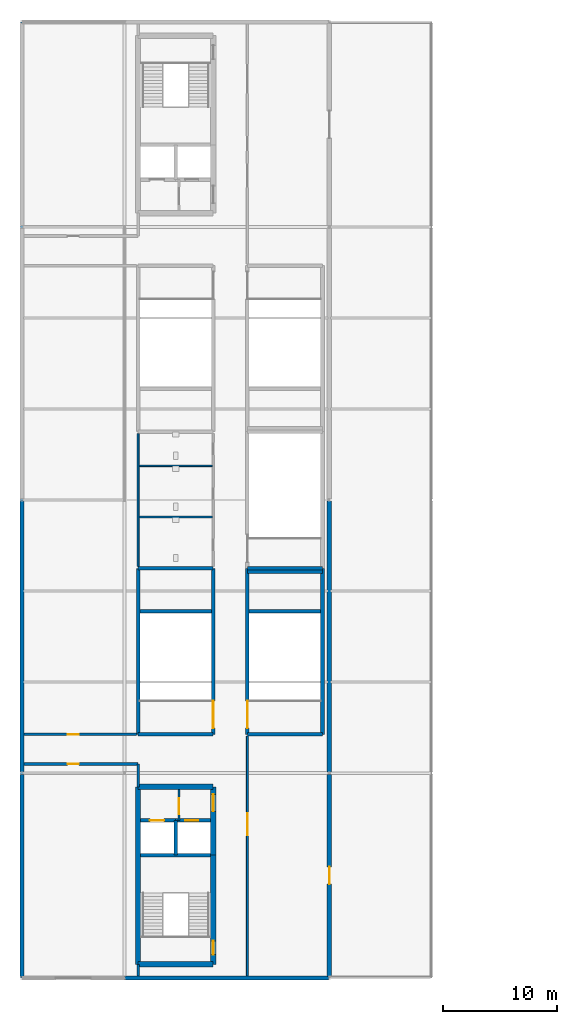
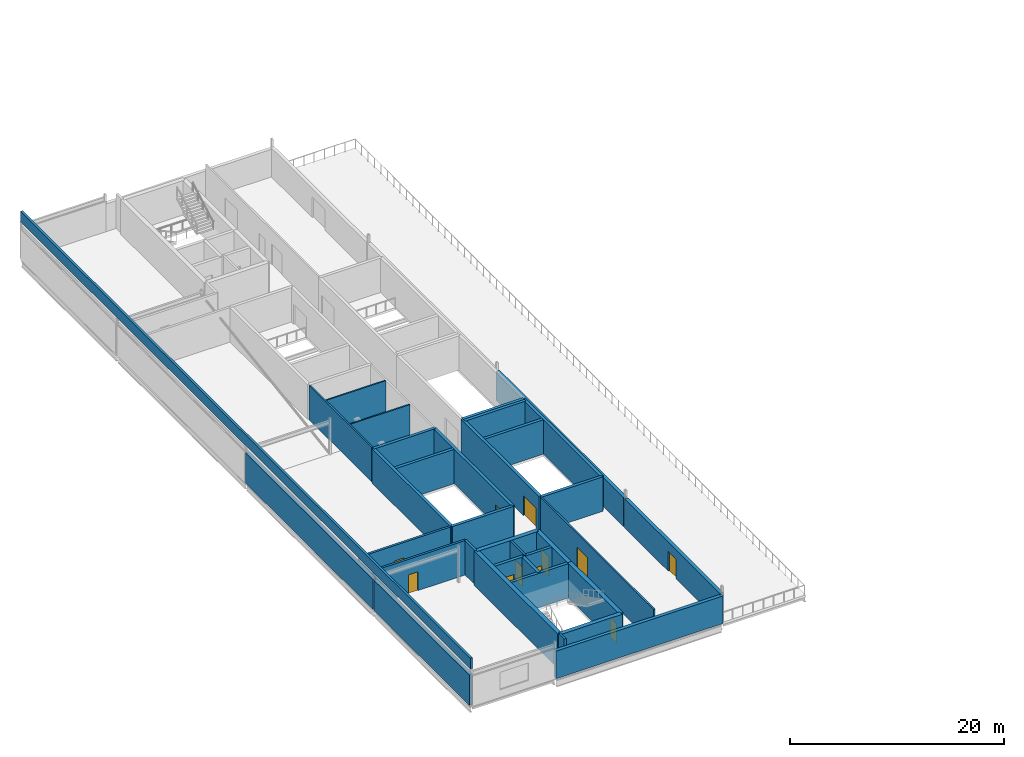
# One storey, part 14 of 23: 35 walls, 11 doors, 11 openings.
"""IFC4 building model written with IfcOpenShell, lengths in metres."""

import ifcopenshell
import ifcopenshell.guid

model = None  # the IFC model being written
_history = None  # IfcOwnerHistory: only IFC2X3 demands one
_inside = {}  # id of a spatial element -> (the spatial element, [elements in it])
_under = {}  # id of a project, library or spatial element -> (it, [spatial elements below it])
_declared = {}  # id of a project -> (the project, [libraries it declares])
_typed = {}  # id of a type object -> (the type object, [elements of that type])
_made_of = {}  # id of a material, layer set ... -> (it, [elements and type objects made of it])


def new_model(schema):
    """Start an empty IFC model of exactly this schema.

    Asked for "IFC4X3", IfcOpenShell would pick the latest addendum, in which some entities
    have other attributes; the version numbers below select the first issue.
    IFC2X3 requires an IfcOwnerHistory on every rooted entity: one is made here for all.
    """
    global model, _history
    if schema == "IFC4X3":
        model = ifcopenshell.file(schema_version=(4, 3, 0, 0))
    else:
        model = ifcopenshell.file(schema=schema)
    _inside.clear()
    _under.clear()
    _declared.clear()
    _typed.clear()
    _made_of.clear()
    _history = None
    if model.schema == "IFC2X3":
        org = make("IfcOrganization", Name="unknown")
        user = make(
            "IfcPersonAndOrganization",
            ThePerson=make("IfcPerson", FamilyName="unknown"),
            TheOrganization=org,
        )
        app = make(
            "IfcApplication",
            ApplicationDeveloper=org,
            Version="unknown",
            ApplicationFullName="unknown",
            ApplicationIdentifier="unknown",
        )
        _history = make(
            "IfcOwnerHistory",
            OwningUser=user,
            OwningApplication=app,
            ChangeAction="ADDED",
            CreationDate=0,
        )
    return model


def make(cls, **values):
    """One entity of the class cls with the attributes given. An attribute that is None is left unset."""
    return model.create_entity(
        cls, **{name: value for name, value in values.items() if value is not None}
    )


def rooted(cls, **values):
    """An entity with a GlobalId (a new one), such as an element, a storey or a relation."""
    return make(cls, GlobalId=ifcopenshell.guid.new(), OwnerHistory=_history, **values)


def si_unit(unit_type, name, prefix=None):
    """IfcSIUnit, for example si_unit("LENGTHUNIT", "METRE", prefix="MILLI")."""
    return make("IfcSIUnit", UnitType=unit_type, Prefix=prefix, Name=name)


def assignment(units):
    """IfcUnitAssignment: the units of a project."""
    return None if units is None else make("IfcUnitAssignment", Units=units)


def point(xyz):
    """IfcCartesianPoint."""
    return None if xyz is None else make("IfcCartesianPoint", Coordinates=xyz)


def direction(xyz):
    """IfcDirection."""
    return None if xyz is None else make("IfcDirection", DirectionRatios=xyz)


def frame(location, z_axis=None, x_axis=None):
    """IfcAxis2Placement3D, a coordinate frame: its origin and axes. An axis left out is left unset."""
    return make(
        "IfcAxis2Placement3D",
        Location=point(location),
        Axis=direction(z_axis),
        RefDirection=direction(x_axis),
    )


def frame_2d(location, x_axis=None):
    """IfcAxis2Placement2D, a coordinate frame in the plane: its origin and x axis."""
    return make(
        "IfcAxis2Placement2D", Location=point(location), RefDirection=direction(x_axis)
    )


def origin():
    """The frame at (0, 0, 0) with its axes left unset."""
    return frame((0.0, 0.0, 0.0))


def place(relative_to, where):
    """IfcLocalPlacement: puts the frame where relative to a parent placement (None: the world)."""
    return make(
        "IfcLocalPlacement", PlacementRelTo=relative_to, RelativePlacement=where
    )


def context(
    kind, dimensions, precision=None, world=None, true_north=None, identifier=None
):
    """IfcGeometricRepresentationContext, for example the 3D "Model" context."""
    return make(
        "IfcGeometricRepresentationContext",
        ContextIdentifier=identifier,
        ContextType=kind,
        CoordinateSpaceDimension=dimensions,
        Precision=precision,
        WorldCoordinateSystem=world,
        TrueNorth=true_north,
    )


def subcontext(parent, identifier, kind, view, scale=None):
    """IfcGeometricRepresentationSubContext, for example "Body" below "Model"."""
    return make(
        "IfcGeometricRepresentationSubContext",
        ContextIdentifier=identifier,
        ContextType=kind,
        ParentContext=parent,
        TargetScale=scale,
        TargetView=view,
    )


def project(units=None, contexts=None):
    """IfcProject with its units and contexts."""
    return rooted(
        "IfcProject",
        Name="project",
        RepresentationContexts=contexts,
        UnitsInContext=assignment(units),
    )


def spatial(cls, under=None, at=None, **own):
    """A site, building, storey or space (cls), placed at a placement, below another one or the project."""
    s = rooted(cls, ObjectPlacement=at, **own)
    if under is not None:
        _under.setdefault(under.id(), (under, []))[1].append(s)
    return s


def profile(cls, at=None, kind="AREA", **sizes):
    """A parametric profile (cls). Its sizes go by their IFC names, for example OverallWidth=200.0."""
    return make(cls, ProfileType=kind, Position=at, **sizes)


def rectangle(**sizes):
    """IfcRectangleProfileDef."""
    return profile("IfcRectangleProfileDef", **sizes)


def extrude(swept, where, along, depth):
    """IfcExtrudedAreaSolid: the profile swept, set in the frame where, extruded along a direction by depth."""
    return make(
        "IfcExtrudedAreaSolid",
        SweptArea=swept,
        Position=where,
        ExtrudedDirection=direction(along),
        Depth=depth,
    )


def shape(context_of_items, identifier, shape_type, items):
    """IfcShapeRepresentation: the items that make up one representation, for example the "Body"."""
    return make(
        "IfcShapeRepresentation",
        ContextOfItems=context_of_items,
        RepresentationIdentifier=identifier,
        RepresentationType=shape_type,
        Items=items,
    )


def material(Name=None, Category=None):
    """IfcMaterial."""
    return make("IfcMaterial", Name=Name, Category=Category)


def layer(
    of_material, thickness, ventilated=None, Name=None, Category=None, Priority=None
):
    """IfcMaterialLayer: one layer of a wall or slab, of a material (None: an air gap)."""
    return make(
        "IfcMaterialLayer",
        Material=of_material,
        LayerThickness=thickness,
        IsVentilated=ventilated,
        Name=Name,
        Category=Category,
        Priority=Priority,
    )


def layer_set(layers, Name=None):
    """IfcMaterialLayerSet."""
    return make("IfcMaterialLayerSet", MaterialLayers=layers, LayerSetName=Name)


def made_of(thing, what):
    """Note that an element or type object is made of a material, layer set ...; save() writes the relation."""
    if what is not None:
        _made_of.setdefault(what.id(), (what, []))[1].append(thing)
    return thing


def type_object(cls, material=None, **own):
    """A type object (cls), such as IfcWallType, which elements share."""
    return made_of(rooted(cls, **own), material)


def element(
    cls,
    number,
    at=None,
    inside=None,
    cuts=None,
    type_object=None,
    material=None,
    context=None,
    identifier="Body",
    shape_type=None,
    held_by="IfcProductDefinitionShape",
    body=None,
    shapes=None,
    **own,
):
    """One element of the class cls, such as IfcWall. Its Tag is "e" and its number.

    at: its placement. inside: the storey or other place that contains it. cuts: it is an
    opening in that element (IfcRelVoidsElement). A single representation is given by context,
    identifier, shape_type and body (its items); several are given by shapes. held_by: the class
    of the entity that holds the representations. save() writes the other relations.
    """
    e = rooted(cls, Tag="e%d" % number, ObjectPlacement=at, **own)
    if body is not None:
        shapes = [shape(context, identifier, shape_type, body)]
    if shapes is not None:
        e.Representation = make(held_by, Representations=shapes)
    if inside is not None:
        _inside.setdefault(inside.id(), (inside, []))[1].append(e)
    if cuts is not None:
        rooted(
            "IfcRelVoidsElement", RelatingBuildingElement=cuts, RelatedOpeningElement=e
        )
    if type_object is not None:
        _typed.setdefault(type_object.id(), (type_object, []))[1].append(e)
    return made_of(e, material)


def fill(opening, filler):
    """IfcRelFillsElement: the door or window that sits in an opening."""
    return rooted(
        "IfcRelFillsElement",
        RelatingOpeningElement=opening,
        RelatedBuildingElement=filler,
    )


def aggregate(whole, parts):
    """IfcRelAggregates: a whole, such as a stair, and the parts it consists of."""
    return rooted("IfcRelAggregates", RelatingObject=whole, RelatedObjects=parts)


def save(model, path):
    """Write the relations noted so far, then the file.

    IfcRelAggregates (storeys below a building ...), IfcRelContainedInSpatialStructure (elements
    in a storey), IfcRelDefinesByType, IfcRelAssociatesMaterial and IfcRelDeclares: one each for
    every whole, place, type object, material and project.
    """
    for whole, parts in _under.values():
        aggregate(whole, parts)
    for where, things in _inside.values():
        rooted(
            "IfcRelContainedInSpatialStructure",
            RelatedElements=things,
            RelatingStructure=where,
        )
    for kind, things in _typed.values():
        rooted("IfcRelDefinesByType", RelatedObjects=things, RelatingType=kind)
    for what, things in _made_of.values():
        rooted("IfcRelAssociatesMaterial", RelatedObjects=things, RelatingMaterial=what)
    for by, libraries in _declared.values():
        rooted("IfcRelDeclares", RelatingContext=by, RelatedDefinitions=libraries)
    model.write(path)


model = new_model("IFC4")

# Units and contexts
model_context = context("Model", 3, precision=1e-05, world=origin(), true_north=direction((0.0, 1.0)))
body_context = subcontext(model_context, "Body", "Model", "MODEL_VIEW")
ifc_project = project(units=[si_unit("LENGTHUNIT", "METRE"), si_unit("AREAUNIT", "SQUARE_METRE"), si_unit("VOLUMEUNIT", "CUBIC_METRE"), si_unit("PLANEANGLEUNIT", "RADIAN"), si_unit("MASSUNIT", "GRAM", prefix="KILO")], contexts=[model_context])

# Site, building, storey
site_placement = place(None, origin())
site = spatial("IfcSite", under=ifc_project, at=site_placement, CompositionType="ELEMENT")
building_placement = place(site_placement, origin())
building = spatial("IfcBuilding", under=site, at=building_placement, Name="Kisiwana Market Hall", CompositionType="ELEMENT")
storey_placement = place(building_placement, frame((0.0, 0.0, 65.699951171875)))
storey = spatial("IfcBuildingStorey", under=building, at=storey_placement, Name="L15", CompositionType="ELEMENT", Elevation=65.699951171875)

# Wall, opening, door
ifc_material_1 = material(Name="Masonry blockwork", Category="masonry")
ifc_layer_1 = layer(ifc_material_1, 0.199951171875, Name="Plastered fire compartment block wall")
ifc_layer_set_1 = layer_set([ifc_layer_1], Name="WL-COMP-200")
wall_type_1 = type_object("IfcWallType", Name="WL-COMP-200", PredefinedType="PARTITIONING", material=ifc_layer_set_1)
wall_1_placement = place(storey_placement, frame((13.800048828125, 31.844970703125, 0.0), z_axis=(0.0, 0.0, 1.0), x_axis=(0.0, 1.0, 0.0)))
wall_1 = element("IfcWall", 1, at=wall_1_placement, inside=storey, type_object=wall_type_1, Name="Core W2 firefighting lobby wall W-3457", PredefinedType="PARTITIONING", context=body_context, shape_type="SweptSolid", body=[
    extrude(rectangle(XDim=2.72998046875, YDim=0.199951171875, at=frame_2d((1.364990234375, 0.0))), origin(), (0.0, 0.0, 1.0), 3.920166015625),
])
opening_1_placement = place(wall_1_placement, frame((0.550048828125, 0.0, 0.0)))
opening_1 = element("IfcOpeningElement", 2, at=opening_1_placement, cuts=wall_1, Name="Opening DR-L15-003", PredefinedType="OPENING", context=body_context, shape_type="SweptSolid", body=[
    extrude(rectangle(XDim=1.39990234375, YDim=2.25, at=frame_2d((0.699951171875, 1.125))), frame((0.0, 0.11181640625, 0.0), z_axis=(0.0, -1.0, 0.0), x_axis=(1.0, 0.0, 0.0)), (0.0, 0.0, 1.0), 0.223876953125),
])
ifc_material_2 = material(Name="Steel S275", Category="steel")
door_type_1 = type_object("IfcDoorType", Name="DR-FFLOB-FD120-1400", OperationType="DOUBLE_DOOR_SINGLE_SWING", PredefinedType="DOOR", material=ifc_material_2)
door_1_placement = place(opening_1_placement, frame((1.39990234375, 0.0, 0.0), z_axis=(0.0, 0.0, 1.0), x_axis=(-1.0, 0.0, 0.0)))
door_1 = element("IfcDoor", 3, at=door_1_placement, inside=storey, type_object=door_type_1, Name="Firefighting Lift Lobby W2 Door (L15)", OperationType="DOUBLE_DOOR_SINGLE_SWING", OverallHeight=2.25, OverallWidth=1.39990234375, PredefinedType="DOOR", context=body_context, shape_type="SweptSolid", body=[
    extrude(rectangle(XDim=1.39990234375, YDim=2.25, at=frame_2d((0.699951171875, 1.125))), frame((0.0, 0.02490234375, 0.0), z_axis=(0.0, -1.0, 0.0), x_axis=(1.0, 0.0, 0.0)), (0.0, 0.0, 1.0), 0.050048828125),
])
fill(opening_1, door_1)

# Walls
ifc_material_3 = material(Name="Concrete C40/50", Category="concrete")
ifc_layer_2 = layer(ifc_material_3, 0.320068359375, Name="Reinforced concrete shaft wall")
ifc_layer_set_2 = layer_set([ifc_layer_2], Name="WL-CORE-320")
wall_type_2 = type_object("IfcWallType", Name="WL-CORE-320", PredefinedType="SHEAR", material=ifc_layer_set_2)
wall_2_placement = place(storey_placement, frame((10.425048828125, 28.784912109375, 0.0), z_axis=(0.0, 0.0, 1.0), x_axis=(1.0, 0.0, 0.0)))
element("IfcWall", 4, at=wall_2_placement, inside=storey, type_object=wall_type_2, Name="Core W2 shaft back shear wall W-3354", PredefinedType="SHEAR", context=body_context, shape_type="SweptSolid", body=[
    extrude(rectangle(XDim=6.14990234375, YDim=0.320068359375, at=frame_2d((3.074951171875, 0.0))), origin(), (0.0, 0.0, 1.0), 3.920166015625),
])
wall_3_placement = place(storey_placement, frame((13.5, 28.784912109375, 0.0), z_axis=(0.0, 0.0, 1.0), x_axis=(0.0, 1.0, 0.0)))
element("IfcWall", 5, at=wall_3_placement, inside=storey, type_object=wall_type_2, Name="Core W2 inter-shaft shear wall W-3355", PredefinedType="SHEAR", context=body_context, shape_type="SweptSolid", body=[
    extrude(rectangle(XDim=3.06005859375, YDim=0.320068359375, at=frame_2d((1.530029296875, 0.0))), origin(), (0.0, 0.0, 1.0), 3.920166015625),
])

# Wall, opening, door
wall_4_placement = place(storey_placement, frame((10.425048828125, 31.844970703125, 0.0), z_axis=(0.0, 0.0, 1.0), x_axis=(1.0, 0.0, 0.0)))
wall_4 = element("IfcWall", 6, at=wall_4_placement, inside=storey, type_object=wall_type_2, Name="Core W2 west lift front wall W-3356", PredefinedType="SHEAR", context=body_context, shape_type="SweptSolid", body=[
    extrude(rectangle(XDim=3.074951171875, YDim=0.320068359375, at=frame_2d((1.53759765625, 0.0))), origin(), (0.0, 0.0, 1.0), 3.920166015625),
])
opening_2_placement = place(wall_4_placement, frame((0.800048828125, 0.0, 0.0)))
opening_2 = element("IfcOpeningElement", 7, at=opening_2_placement, cuts=wall_4, Name="Opening LD-L15-001", PredefinedType="OPENING", context=body_context, shape_type="SweptSolid", body=[
    extrude(rectangle(XDim=1.25, YDim=2.25, at=frame_2d((0.625, 1.125))), frame((0.0, 0.171875, 0.0), z_axis=(0.0, -1.0, 0.0), x_axis=(1.0, 0.0, 0.0)), (0.0, 0.0, 1.0), 0.343994140625),
])
ifc_material_4 = material(Name="Steel S275", Category="steel")
door_type_2 = type_object("IfcDoorType", Name="DR-LIFT-FFL-1250", OperationType="DOUBLE_DOOR_SLIDING", PredefinedType="DOOR", material=ifc_material_4)
door_2_placement = place(opening_2_placement, origin())
door_2 = element("IfcDoor", 8, at=door_2_placement, inside=storey, type_object=door_type_2, Name="Lift Landing Door FFL-01 (L15)", OperationType="DOUBLE_DOOR_SLIDING", OverallHeight=2.25, OverallWidth=1.25, PredefinedType="DOOR", context=body_context, shape_type="SweptSolid", body=[
    extrude(rectangle(XDim=1.25, YDim=2.25, at=frame_2d((0.625, 1.125))), frame((0.0, 0.02490234375, 0.0), z_axis=(0.0, -1.0, 0.0), x_axis=(1.0, 0.0, 0.0)), (0.0, 0.0, 1.0), 0.050048828125),
])
fill(opening_2, door_2)

wall_5_placement = place(storey_placement, frame((13.5, 31.844970703125, 0.0), z_axis=(0.0, 0.0, 1.0), x_axis=(1.0, 0.0, 0.0)))
wall_5 = element("IfcWall", 9, at=wall_5_placement, inside=storey, type_object=wall_type_2, Name="Core W2 east lift front wall W-3357", PredefinedType="SHEAR", context=body_context, shape_type="SweptSolid", body=[
    extrude(rectangle(XDim=3.074951171875, YDim=0.320068359375, at=frame_2d((1.53759765625, 0.0))), origin(), (0.0, 0.0, 1.0), 3.920166015625),
])
opening_3_placement = place(wall_5_placement, frame((0.85009765625, 0.0, 0.0)))
opening_3 = element("IfcOpeningElement", 10, at=opening_3_placement, cuts=wall_5, Name="Opening LD-L15-002", PredefinedType="OPENING", context=body_context, shape_type="SweptSolid", body=[
    extrude(rectangle(XDim=1.14990234375, YDim=2.199951171875, at=frame_2d((0.574951171875, 1.10009765625))), frame((0.0, 0.171875, 0.0), z_axis=(0.0, -1.0, 0.0), x_axis=(1.0, 0.0, 0.0)), (0.0, 0.0, 1.0), 0.343994140625),
])
ifc_material_5 = material(Name="Steel S275", Category="steel")
door_type_3 = type_object("IfcDoorType", Name="DR-LIFT-PAX-1150", OperationType="DOUBLE_DOOR_SLIDING", PredefinedType="DOOR", material=ifc_material_5)
door_3_placement = place(opening_3_placement, origin())
door_3 = element("IfcDoor", 11, at=door_3_placement, inside=storey, type_object=door_type_3, Name="Lift Landing Door LP-01 (L15)", OperationType="DOUBLE_DOOR_SLIDING", OverallHeight=2.199951171875, OverallWidth=1.14990234375, PredefinedType="DOOR", context=body_context, shape_type="SweptSolid", body=[
    extrude(rectangle(XDim=1.14990234375, YDim=2.199951171875, at=frame_2d((0.574951171875, 1.10009765625))), frame((0.0, 0.02490234375, 0.0), z_axis=(0.0, -1.0, 0.0), x_axis=(1.0, 0.0, 0.0)), (0.0, 0.0, 1.0), 0.050048828125),
])
fill(opening_3, door_3)

# Walls
for number, where, z_axis, x_axis, name in (
    (12, (10.199951171875, 39.39990234375, 0.0), (0.0, 0.0, 1.0), (1.0, 0.0, 0.0), "Core W3 south shear wall W-3385"),
    (13, (10.199951171875, 54.0, 0.0), (0.0, 0.0, 1.0), (1.0, 0.0, 0.0), "Core W3 north shear wall W-3386"),
):
    element("IfcWall", number, at=place(storey_placement, frame(where, z_axis=z_axis, x_axis=x_axis)), inside=storey, type_object=wall_type_2, Name=name, PredefinedType="SHEAR", context=body_context, shape_type="SweptSolid", body=[
        extrude(rectangle(XDim=6.60009765625, YDim=0.320068359375, at=frame_2d((3.300048828125, 0.0))), origin(), (0.0, 0.0, 1.0), 3.920166015625),
    ])
wall_6_placement = place(storey_placement, frame((10.199951171875, 39.39990234375, 0.0), z_axis=(0.0, 0.0, 1.0), x_axis=(0.0, 1.0, 0.0)))
element("IfcWall", 14, at=wall_6_placement, inside=storey, type_object=wall_type_2, Name="Core W3 outer shear wall W-3387", PredefinedType="SHEAR", context=body_context, shape_type="SweptSolid", body=[
    extrude(rectangle(XDim=14.60009765625, YDim=0.320068359375, at=frame_2d((7.300048828125, 0.0))), origin(), (0.0, 0.0, 1.0), 3.920166015625),
])

# Wall, opening, door
wall_7_placement = place(storey_placement, frame((16.800048828125, 39.39990234375, 0.0), z_axis=(0.0, 0.0, 1.0), x_axis=(0.0, 1.0, 0.0)))
wall_7 = element("IfcWall", 15, at=wall_7_placement, inside=storey, type_object=wall_type_2, Name="Core W3 corridor shear wall W-3388", PredefinedType="SHEAR", context=body_context, shape_type="SweptSolid", body=[
    extrude(rectangle(XDim=14.60009765625, YDim=0.320068359375, at=frame_2d((7.300048828125, 0.0))), origin(), (0.0, 0.0, 1.0), 3.920166015625),
])
opening_4_placement = place(wall_7_placement, frame((0.550048828125, 0.0, 0.0)))
opening_4 = element("IfcOpeningElement", 16, at=opening_4_placement, cuts=wall_7, Name="Opening DR-L15-013", PredefinedType="OPENING", context=body_context, shape_type="SweptSolid", body=[
    extrude(rectangle(XDim=2.39990234375, YDim=2.25, at=frame_2d((1.199951171875, 1.125))), frame((0.0, 0.171875, 0.0), z_axis=(0.0, -1.0, 0.0), x_axis=(1.0, 0.0, 0.0)), (0.0, 0.0, 1.0), 0.343994140625),
])
ifc_material_6 = material(Name="Steel S275", Category="steel")
door_type_4 = type_object("IfcDoorType", Name="DR-STAIR-FD120-2400", OperationType="DOUBLE_DOOR_SINGLE_SWING", PredefinedType="DOOR", material=ifc_material_6)
door_4_placement = place(opening_4_placement, origin())
door_4 = element("IfcDoor", 17, at=door_4_placement, inside=storey, type_object=door_type_4, Name="Escape Stair W3 Fire Door (L15)", OperationType="DOUBLE_DOOR_SINGLE_SWING", OverallHeight=2.25, OverallWidth=2.39990234375, PredefinedType="DOOR", context=body_context, shape_type="SweptSolid", body=[
    extrude(rectangle(XDim=2.39990234375, YDim=2.25, at=frame_2d((1.199951171875, 1.125))), frame((0.0, 0.02490234375, 0.0), z_axis=(0.0, -1.0, 0.0), x_axis=(1.0, 0.0, 0.0)), (0.0, 0.0, 1.0), 0.050048828125),
])
fill(opening_4, door_4)

# Walls
wall_8_placement = place(storey_placement, frame((10.360107421875, 50.219970703125, 0.0), z_axis=(0.0, 0.0, 1.0), x_axis=(1.0, 0.0, 0.0)))
element("IfcWall", 18, at=wall_8_placement, inside=storey, type_object=wall_type_2, Name="Core W3 riser divider shear wall W-3389", PredefinedType="SHEAR", context=body_context, shape_type="SweptSolid", body=[
    extrude(rectangle(XDim=6.27978515625, YDim=0.320068359375, at=frame_2d((3.139892578125, 0.0))), origin(), (0.0, 0.0, 1.0), 3.920166015625),
])
for number, where, z_axis, x_axis, name in (
    (19, (19.800048828125, 39.39990234375, 0.0), (0.0, 0.0, 1.0), (1.0, 0.0, 0.0), "Core W7 south shear wall W-3405"),
    (20, (19.800048828125, 54.0, 0.0), (0.0, 0.0, 1.0), (1.0, 0.0, 0.0), "Core W7 north shear wall W-3406"),
):
    element("IfcWall", number, at=place(storey_placement, frame(where, z_axis=z_axis, x_axis=x_axis)), inside=storey, type_object=wall_type_2, Name=name, PredefinedType="SHEAR", context=body_context, shape_type="SweptSolid", body=[
        extrude(rectangle(XDim=6.599853515625, YDim=0.320068359375, at=frame_2d((3.2998046875, 0.0))), origin(), (0.0, 0.0, 1.0), 3.920166015625),
    ])

# Wall, opening, door
wall_9_placement = place(storey_placement, frame((19.800048828125, 39.39990234375, 0.0), z_axis=(0.0, 0.0, 1.0), x_axis=(0.0, 1.0, 0.0)))
wall_9 = element("IfcWall", 21, at=wall_9_placement, inside=storey, type_object=wall_type_2, Name="Core W7 corridor shear wall W-3407", PredefinedType="SHEAR", context=body_context, shape_type="SweptSolid", body=[
    extrude(rectangle(XDim=14.60009765625, YDim=0.320068359375, at=frame_2d((7.300048828125, 0.0))), origin(), (0.0, 0.0, 1.0), 3.920166015625),
])
opening_5_placement = place(wall_9_placement, frame((0.550048828125, 0.0, 0.0)))
opening_5 = element("IfcOpeningElement", 22, at=opening_5_placement, cuts=wall_9, Name="Opening DR-L15-017", PredefinedType="OPENING", context=body_context, shape_type="SweptSolid", body=[
    extrude(rectangle(XDim=2.39990234375, YDim=2.25, at=frame_2d((1.199951171875, 1.125))), frame((0.0, 0.171875, 0.0), z_axis=(0.0, -1.0, 0.0), x_axis=(1.0, 0.0, 0.0)), (0.0, 0.0, 1.0), 0.343994140625),
])
door_5_placement = place(opening_5_placement, frame((2.39990234375, 0.0, 0.0), z_axis=(0.0, 0.0, 1.0), x_axis=(-1.0, 0.0, 0.0)))
door_5 = element("IfcDoor", 23, at=door_5_placement, inside=storey, type_object=door_type_4, Name="Escape Stair W7 Fire Door (L15)", OperationType="DOUBLE_DOOR_SINGLE_SWING", OverallHeight=2.25, OverallWidth=2.39990234375, PredefinedType="DOOR", context=body_context, shape_type="SweptSolid", body=[
    extrude(rectangle(XDim=2.39990234375, YDim=2.25, at=frame_2d((1.199951171875, 1.125))), frame((0.0, 0.02490234375, 0.0), z_axis=(0.0, -1.0, 0.0), x_axis=(1.0, 0.0, 0.0)), (0.0, 0.0, 1.0), 0.050048828125),
])
fill(opening_5, door_5)

# Walls
wall_10_placement = place(storey_placement, frame((26.39990234375, 39.39990234375, 0.0), z_axis=(0.0, 0.0, 1.0), x_axis=(0.0, 1.0, 0.0)))
element("IfcWall", 24, at=wall_10_placement, inside=storey, type_object=wall_type_2, Name="Core W7 outer shear wall W-3408", PredefinedType="SHEAR", context=body_context, shape_type="SweptSolid", body=[
    extrude(rectangle(XDim=14.60009765625, YDim=0.320068359375, at=frame_2d((7.300048828125, 0.0))), origin(), (0.0, 0.0, 1.0), 3.920166015625),
])
wall_11_placement = place(storey_placement, frame((19.9599609375, 50.219970703125, 0.0), z_axis=(0.0, 0.0, 1.0), x_axis=(1.0, 0.0, 0.0)))
element("IfcWall", 25, at=wall_11_placement, inside=storey, type_object=wall_type_2, Name="Core W7 riser divider shear wall W-3409", PredefinedType="SHEAR", context=body_context, shape_type="SweptSolid", body=[
    extrude(rectangle(XDim=6.280029296875, YDim=0.320068359375, at=frame_2d((3.14013671875, 0.0))), origin(), (0.0, 0.0, 1.0), 3.920166015625),
])
wall_12_placement = place(storey_placement, frame((19.800048828125, 53.679931640625, 0.0), z_axis=(0.0, 0.0, 1.0), x_axis=(1.0, 0.0, 0.0)))
element("IfcWall", 26, at=wall_12_placement, inside=storey, type_object=wall_type_2, Name="Core W5 south shear wall W-3425", PredefinedType="SHEAR", context=body_context, shape_type="SweptSolid", body=[
    extrude(rectangle(XDim=6.599853515625, YDim=0.320068359375, at=frame_2d((3.2998046875, 0.0))), origin(), (0.0, 0.0, 1.0), 3.920166015625),
])
ifc_material_7 = material(Name="Concrete C40/50", Category="concrete")
ifc_layer_3 = layer(ifc_material_7, 0.449951171875, Name="Reinforced concrete core wall")
ifc_layer_set_3 = layer_set([ifc_layer_3], Name="WL-CORE-450")
wall_type_3 = type_object("IfcWallType", Name="WL-CORE-450", PredefinedType="SHEAR", material=ifc_layer_set_3)
for number, where, z_axis, x_axis, name in (
    (27, (10.199951171875, 19.199951171875, 0.0), (0.0, 0.0, 1.0), (1.0, 0.0, 0.0), "Core W2 south shear wall W-3349"),
    (28, (10.199951171875, 34.800048828125, 0.0), (0.0, 0.0, 1.0), (1.0, 0.0, 0.0), "Core W2 north shear wall W-3350"),
):
    element("IfcWall", number, at=place(storey_placement, frame(where, z_axis=z_axis, x_axis=x_axis)), inside=storey, type_object=wall_type_3, Name=name, PredefinedType="SHEAR", context=body_context, shape_type="SweptSolid", body=[
        extrude(rectangle(XDim=6.60009765625, YDim=0.449951171875, at=frame_2d((3.300048828125, 0.0))), origin(), (0.0, 0.0, 1.0), 3.920166015625),
    ])
wall_13_placement = place(storey_placement, frame((10.199951171875, 19.199951171875, 0.0), z_axis=(0.0, 0.0, 1.0), x_axis=(0.0, 1.0, 0.0)))
element("IfcWall", 29, at=wall_13_placement, inside=storey, type_object=wall_type_3, Name="Core W2 outer shear wall W-3351", PredefinedType="SHEAR", context=body_context, shape_type="SweptSolid", body=[
    extrude(rectangle(XDim=15.60009765625, YDim=0.449951171875, at=frame_2d((7.800048828125, 0.0))), origin(), (0.0, 0.0, 1.0), 3.920166015625),
])

# Wall, opening, door
wall_14_placement = place(storey_placement, frame((16.800048828125, 19.199951171875, 0.0), z_axis=(0.0, 0.0, 1.0), x_axis=(0.0, 1.0, 0.0)))
wall_14 = element("IfcWall", 30, at=wall_14_placement, inside=storey, type_object=wall_type_3, Name="Core W2 stair corridor shear wall W-3352", PredefinedType="SHEAR", context=body_context, shape_type="SweptSolid", body=[
    extrude(rectangle(XDim=9.5849609375, YDim=0.449951171875, at=frame_2d((4.79248046875, 0.0))), origin(), (0.0, 0.0, 1.0), 3.920166015625),
])
opening_6_placement = place(wall_14_placement, frame((0.85009765625, 0.0, 0.0)))
opening_6 = element("IfcOpeningElement", 31, at=opening_6_placement, cuts=wall_14, Name="Opening DR-L15-001", PredefinedType="OPENING", context=body_context, shape_type="SweptSolid", body=[
    extrude(rectangle(XDim=1.199951171875, YDim=2.199951171875, at=frame_2d((0.60009765625, 1.10009765625))), frame((0.0, 0.23681640625, 0.0), z_axis=(0.0, -1.0, 0.0), x_axis=(1.0, 0.0, 0.0)), (0.0, 0.0, 1.0), 0.473876953125),
])
ifc_material_8 = material(Name="Steel S275", Category="steel")
door_type_5 = type_object("IfcDoorType", Name="DR-STAIR-FD120-1200", OperationType="NOTDEFINED", PredefinedType="DOOR", material=ifc_material_8)
door_6_placement = place(opening_6_placement, origin())
door_6 = element("IfcDoor", 32, at=door_6_placement, inside=storey, type_object=door_type_5, Name="Escape Stair W2 Fire Door (L15)", OperationType="SINGLE_SWING_LEFT", OverallHeight=2.199951171875, OverallWidth=1.199951171875, PredefinedType="DOOR", context=body_context, shape_type="SweptSolid", body=[
    extrude(rectangle(XDim=1.199951171875, YDim=2.199951171875, at=frame_2d((0.60009765625, 1.10009765625))), frame((0.0, 0.02490234375, 0.0), z_axis=(0.0, -1.0, 0.0), x_axis=(1.0, 0.0, 0.0)), (0.0, 0.0, 1.0), 0.050048828125),
])
fill(opening_6, door_6)

wall_15_placement = place(storey_placement, frame((16.800048828125, 28.784912109375, 0.0), z_axis=(0.0, 0.0, 1.0), x_axis=(0.0, 1.0, 0.0)))
wall_15 = element("IfcWall", 33, at=wall_15_placement, inside=storey, type_object=wall_type_3, Name="Core W2 lobby corridor shear wall W-3353", PredefinedType="SHEAR", context=body_context, shape_type="SweptSolid", body=[
    extrude(rectangle(XDim=6.01513671875, YDim=0.449951171875, at=frame_2d((3.007568359375, 0.0))), origin(), (0.0, 0.0, 1.0), 3.920166015625),
])
opening_7_placement = place(wall_15_placement, frame((3.85009765625, 0.0, 0.0)))
opening_7 = element("IfcOpeningElement", 34, at=opening_7_placement, cuts=wall_15, Name="Opening DR-L15-002", PredefinedType="OPENING", context=body_context, shape_type="SweptSolid", body=[
    extrude(rectangle(XDim=1.5, YDim=2.199951171875, at=frame_2d((0.75, 1.10009765625))), frame((0.0, 0.23681640625, 0.0), z_axis=(0.0, -1.0, 0.0), x_axis=(1.0, 0.0, 0.0)), (0.0, 0.0, 1.0), 0.473876953125),
])
ifc_material_9 = material(Name="Steel S275", Category="steel")
door_type_6 = type_object("IfcDoorType", Name="DR-CORR-FD60-1500", OperationType="DOUBLE_DOOR_SINGLE_SWING", PredefinedType="DOOR", material=ifc_material_9)
door_7_placement = place(opening_7_placement, frame((1.5, 0.0, 0.0), z_axis=(0.0, 0.0, 1.0), x_axis=(-1.0, 0.0, 0.0)))
door_7 = element("IfcDoor", 35, at=door_7_placement, inside=storey, type_object=door_type_6, Name="Passenger Lift Lobby W2 Smoke Door (L15)", OperationType="DOUBLE_DOOR_SINGLE_SWING", OverallHeight=2.199951171875, OverallWidth=1.5, PredefinedType="DOOR", context=body_context, shape_type="SweptSolid", body=[
    extrude(rectangle(XDim=1.5, YDim=2.199951171875, at=frame_2d((0.75, 1.10009765625))), frame((0.0, 0.02490234375, 0.0), z_axis=(0.0, -1.0, 0.0), x_axis=(1.0, 0.0, 0.0)), (0.0, 0.0, 1.0), 0.050048828125),
])
fill(opening_7, door_7)

# Wall
ifc_material_10 = material(Name="Masonry blockwork", Category="masonry")
ifc_layer_4 = layer(ifc_material_10, 0.169921875, Name="Protected corridor partition")
ifc_layer_set_4 = layer_set([ifc_layer_4], Name="WL-CORR-170")
wall_type_4 = type_object("IfcWallType", Name="WL-CORR-170", PredefinedType="PARTITIONING", material=ifc_layer_set_4)
wall_16_placement = place(storey_placement, frame((10.199951171875, 54.159912109375, 0.0), z_axis=(0.0, 0.0, 1.0), x_axis=(0.0, 1.0, 0.0)))
element("IfcWall", 36, at=wall_16_placement, inside=storey, type_object=wall_type_4, Name="Interior partition W-3461", PredefinedType="PARTITIONING", context=body_context, shape_type="SweptSolid", body=[
    extrude(rectangle(XDim=11.68017578125, YDim=0.169921875, at=frame_2d((5.840087890625, 0.0))), origin(), (0.0, 0.0, 1.0), 3.920166015625),
])

# Wall, opening, door
wall_17_placement = place(storey_placement, frame((19.800048828125, 18.169921875, 0.0), z_axis=(0.0, 0.0, 1.0), x_axis=(0.0, 1.0, 0.0)))
wall_17 = element("IfcWall", 37, at=wall_17_placement, inside=storey, type_object=wall_type_4, Name="Interior partition W-3473", PredefinedType="PARTITIONING", context=body_context, shape_type="SweptSolid", body=[
    extrude(rectangle(XDim=21.070068359375, YDim=0.169921875, at=frame_2d((10.53515625, 0.0))), origin(), (0.0, 0.0, 1.0), 3.920166015625),
])
opening_8_placement = place(wall_17_placement, frame((12.3798828125, 0.0, 0.0)))
opening_8 = element("IfcOpeningElement", 38, at=opening_8_placement, cuts=wall_17, Name="Opening DR-L15-029", PredefinedType="OPENING", context=body_context, shape_type="SweptSolid", body=[
    extrude(rectangle(XDim=1.89990234375, YDim=2.35009765625, at=frame_2d((0.949951171875, 1.175048828125))), frame((0.0, 0.096923828125, 0.0), z_axis=(0.0, -1.0, 0.0), x_axis=(1.0, 0.0, 0.0)), (0.0, 0.0, 1.0), 0.19384765625),
])
ifc_material_11 = material(Name="Steel S275", Category="steel")
door_type_7 = type_object("IfcDoorType", Name="DR-HALL-1900", OperationType="DOUBLE_DOOR_SINGLE_SWING", PredefinedType="DOOR", material=ifc_material_11)
door_8_placement = place(opening_8_placement, origin())
door_8 = element("IfcDoor", 39, at=door_8_placement, inside=storey, type_object=door_type_7, Name="L15 W Civic Observatory South Gallery Door", OperationType="DOUBLE_DOOR_SINGLE_SWING", OverallHeight=2.35009765625, OverallWidth=1.89990234375, PredefinedType="DOOR", context=body_context, shape_type="SweptSolid", body=[
    extrude(rectangle(XDim=1.89990234375, YDim=2.35009765625, at=frame_2d((0.949951171875, 1.175048828125))), frame((0.0, 0.02490234375, 0.0), z_axis=(0.0, -1.0, 0.0), x_axis=(1.0, 0.0, 0.0)), (0.0, 0.0, 1.0), 0.050048828125),
])
fill(opening_8, door_8)

# Walls
ifc_material_12 = material(Name="Concrete C40/50 precast", Category="concrete")
ifc_layer_5 = layer(ifc_material_12, 0.364990234375)
ifc_layer_set_5 = layer_set([ifc_layer_5], Name="WL-EXT-365")
wall_type_5 = type_object("IfcWallType", Name="WL-EXT-365", PredefinedType="STANDARD", material=ifc_layer_set_5)
wall_18_placement = place(storey_placement, frame((9.010009765625, 18.0, 0.0), z_axis=(0.0, 0.0, 1.0), x_axis=(1.0, 0.0, 0.0)))
element("IfcWall", 40, at=wall_18_placement, inside=storey, type_object=wall_type_5, Name="Exterior wall W-3434", PredefinedType="STANDARD", context=body_context, shape_type="SweptSolid", body=[
    extrude(rectangle(XDim=17.97998046875, YDim=0.364990234375, at=frame_2d((8.989990234375, 0.0))), origin(), (0.0, 0.0, 1.0), 3.145751953125),
])
wall_19_placement = place(storey_placement, frame((0.0, 18.107666015625, 0.0), z_axis=(0.0, 0.0, 1.0), x_axis=(0.0, 1.0, 0.0)))
element("IfcWall", 41, at=wall_19_placement, inside=storey, type_object=wall_type_5, Name="Exterior wall W-3441", PredefinedType="STANDARD", context=body_context, shape_type="SweptSolid", body=[
    extrude(rectangle(XDim=17.78466796875, YDim=0.364990234375, at=frame_2d((8.892333984375, 0.0))), origin(), (0.0, 0.0, 1.0), 3.447998046875),
])
wall_20_placement = place(storey_placement, frame((0.0, 36.107666015625, 0.0), z_axis=(0.0, 0.0, 1.0), x_axis=(0.0, 1.0, 0.0)))
element("IfcWall", 42, at=wall_20_placement, inside=storey, type_object=wall_type_5, Name="Exterior wall W-3442", PredefinedType="STANDARD", context=body_context, shape_type="SweptSolid", body=[
    extrude(rectangle(XDim=23.78466796875, YDim=0.364990234375, at=frame_2d((11.892333984375, 0.0))), origin(), (0.0, 0.0, 1.0), 3.447998046875),
])

# Wall, opening, door
wall_21_placement = place(storey_placement, frame((27.0, 18.107666015625, 0.0), z_axis=(0.0, 0.0, 1.0), x_axis=(0.0, 1.0, 0.0)))
wall_21 = element("IfcWall", 43, at=wall_21_placement, inside=storey, type_object=wall_type_5, Name="Exterior wall W-3445", PredefinedType="STANDARD", context=body_context, shape_type="SweptSolid", body=[
    extrude(rectangle(XDim=17.78466796875, YDim=0.364990234375, at=frame_2d((8.892333984375, 0.0))), origin(), (0.0, 0.0, 1.0), 3.307861328125),
])
opening_9_placement = place(wall_21_placement, frame((8.142333984375, 0.0, 0.0)))
opening_9 = element("IfcOpeningElement", 44, at=opening_9_placement, cuts=wall_21, Name="Opening DR-L15-1001", PredefinedType="OPENING", context=body_context, shape_type="SweptSolid", body=[
    extrude(rectangle(XDim=1.5, YDim=2.25, at=frame_2d((0.75, 1.125))), frame((0.0, 0.1943359375, 0.0), z_axis=(0.0, -1.0, 0.0), x_axis=(1.0, 0.0, 0.0)), (0.0, 0.0, 1.0), 0.388916015625),
])
ifc_material_13 = material(Name="Aluminium alloy 6063-T6", Category="aluminium")
door_type_8 = type_object("IfcDoorType", Name="DR-EXT-TERR-1500", OperationType="DOUBLE_DOOR_SINGLE_SWING", PredefinedType="DOOR", material=ifc_material_13)
door_9_placement = place(opening_9_placement, origin())
door_9 = element("IfcDoor", 45, at=door_9_placement, inside=storey, type_object=door_type_8, Name="Exterior terrace access door DR-L15-1001", OperationType="DOUBLE_DOOR_SINGLE_SWING", OverallHeight=2.25, OverallWidth=1.5, PredefinedType="DOOR", context=body_context, shape_type="SweptSolid", body=[
    extrude(rectangle(XDim=1.5, YDim=2.25, at=frame_2d((0.75, 1.125))), frame((0.0, 0.02490234375, 0.0), z_axis=(0.0, -1.0, 0.0), x_axis=(1.0, 0.0, 0.0)), (0.0, 0.0, 1.0), 0.050048828125),
])
fill(opening_9, door_9)

# Walls
wall_22_placement = place(storey_placement, frame((27.0, 36.107666015625, 0.0), z_axis=(0.0, 0.0, 1.0), x_axis=(0.0, 1.0, 0.0)))
element("IfcWall", 46, at=wall_22_placement, inside=storey, type_object=wall_type_5, Name="Exterior wall W-3446", PredefinedType="STANDARD", context=body_context, shape_type="SweptSolid", body=[
    extrude(rectangle(XDim=23.78466796875, YDim=0.364990234375, at=frame_2d((11.892333984375, 0.0))), origin(), (0.0, 0.0, 1.0), 3.307861328125),
])
ifc_material_14 = material(Name="Concrete C40/50", Category="concrete")
ifc_layer_6 = layer(ifc_material_14, 0.239990234375, Name="Reinforced concrete roof parapet")
ifc_layer_set_6 = layer_set([ifc_layer_6], Name="WL-PARA-240")
wall_type_6 = type_object("IfcWallType", Name="WL-PARA-240", PredefinedType="PARAPET", material=ifc_layer_set_6)
wall_23_placement = place(storey_placement, frame((0.0, 18.0, 4.199951171875), z_axis=(0.0, 0.0, 1.0), x_axis=(0.0, 1.0, 0.0)))
element("IfcWall", 47, at=wall_23_placement, inside=storey, type_object=wall_type_6, Name="Roof parapet wall W-3489", PredefinedType="PARAPET", context=body_context, shape_type="SweptSolid", body=[
    extrude(rectangle(XDim=84.0, YDim=0.239990234375, at=frame_2d((42.0, 0.0))), origin(), (0.0, 0.0, 1.0), 1.2001953125),
])
ifc_material_15 = material(Name="Concrete C32/40", Category="concrete")
ifc_layer_7 = layer(ifc_material_15, 0.235107421875)
ifc_layer_set_7 = layer_set([ifc_layer_7], Name="WL-PART-235")
wall_type_7 = type_object("IfcWallType", Name="WL-PART-235", PredefinedType="PARTITIONING", material=ifc_layer_set_7)
wall_24_placement = place(storey_placement, frame((10.199951171875, 34.800048828125, 0.0), z_axis=(0.0, 0.0, 1.0), x_axis=(0.0, 1.0, 0.0)))
element("IfcWall", 48, at=wall_24_placement, inside=storey, type_object=wall_type_7, Name="Interior partition W-3465", PredefinedType="PARTITIONING", context=body_context, shape_type="SweptSolid", body=[
    extrude(rectangle(XDim=2.0, YDim=0.235107421875, at=frame_2d((1.0, 0.0))), origin(), (0.0, 0.0, 1.0), 3.920166015625),
])
wall_25_placement = place(storey_placement, frame((10.199951171875, 18.169921875, 0.0), z_axis=(0.0, 0.0, 1.0), x_axis=(0.0, 1.0, 0.0)))
element("IfcWall", 49, at=wall_25_placement, inside=storey, type_object=wall_type_7, Name="Interior partition W-3467", PredefinedType="PARTITIONING", context=body_context, shape_type="SweptSolid", body=[
    extrude(rectangle(XDim=1.030029296875, YDim=0.235107421875, at=frame_2d((0.51513671875, 0.0))), origin(), (0.0, 0.0, 1.0), 3.920166015625),
])

# Wall, opening, door
wall_26_placement = place(storey_placement, frame((0.169921875, 36.800048828125, 0.0), z_axis=(0.0, 0.0, 1.0), x_axis=(1.0, 0.0, 0.0)))
wall_26 = element("IfcWall", 50, at=wall_26_placement, inside=storey, type_object=wall_type_7, Name="Interior partition W-3469", PredefinedType="PARTITIONING", context=body_context, shape_type="SweptSolid", body=[
    extrude(rectangle(XDim=10.030029296875, YDim=0.235107421875, at=frame_2d((5.01513671875, 0.0))), origin(), (0.0, 0.0, 1.0), 3.920166015625),
])
opening_10_placement = place(wall_26_placement, frame((3.830078125, 0.0, 0.0)))
opening_10 = element("IfcOpeningElement", 51, at=opening_10_placement, cuts=wall_26, Name="Opening DR-L15-026", PredefinedType="OPENING", context=body_context, shape_type="SweptSolid", body=[
    extrude(rectangle(XDim=1.0, YDim=2.14990234375, at=frame_2d((0.5, 1.074951171875))), frame((0.0, 0.12939453125, 0.0), z_axis=(0.0, -1.0, 0.0), x_axis=(1.0, 0.0, 0.0)), (0.0, 0.0, 1.0), 0.259033203125),
])
ifc_material_16 = material(Name="Aluminium alloy 6063-T6", Category="aluminium")
door_type_9 = type_object("IfcDoorType", Name="DR-OFF-1000", OperationType="NOTDEFINED", PredefinedType="DOOR", material=ifc_material_16)
door_10_placement = place(opening_10_placement, frame((1.0, 0.0, 0.0), z_axis=(0.0, 0.0, 1.0), x_axis=(-1.0, 0.0, 0.0)))
door_10 = element("IfcDoor", 52, at=door_10_placement, inside=storey, type_object=door_type_9, Name="L15 W Design Studio South Door", OperationType="SINGLE_SWING_RIGHT", OverallHeight=2.14990234375, OverallWidth=1.0, PredefinedType="DOOR", context=body_context, shape_type="SweptSolid", body=[
    extrude(rectangle(XDim=1.0, YDim=2.14990234375, at=frame_2d((0.5, 1.074951171875))), frame((0.0, 0.02490234375, 0.0), z_axis=(0.0, -1.0, 0.0), x_axis=(1.0, 0.0, 0.0)), (0.0, 0.0, 1.0), 0.050048828125),
])
fill(opening_10, door_10)

wall_27_placement = place(storey_placement, frame((0.169921875, 39.39990234375, 0.0), z_axis=(0.0, 0.0, 1.0), x_axis=(1.0, 0.0, 0.0)))
wall_27 = element("IfcWall", 53, at=wall_27_placement, inside=storey, type_object=wall_type_7, Name="Interior partition W-3470", PredefinedType="PARTITIONING", context=body_context, shape_type="SweptSolid", body=[
    extrude(rectangle(XDim=9.8701171875, YDim=0.235107421875, at=frame_2d((4.93505859375, 0.0))), origin(), (0.0, 0.0, 1.0), 3.920166015625),
])
opening_11_placement = place(wall_27_placement, frame((3.830078125, 0.0, 0.0)))
opening_11 = element("IfcOpeningElement", 54, at=opening_11_placement, cuts=wall_27, Name="Opening DR-L15-027", PredefinedType="OPENING", context=body_context, shape_type="SweptSolid", body=[
    extrude(rectangle(XDim=1.0, YDim=2.14990234375, at=frame_2d((0.5, 1.074951171875))), frame((0.0, 0.12939453125, 0.0), z_axis=(0.0, -1.0, 0.0), x_axis=(1.0, 0.0, 0.0)), (0.0, 0.0, 1.0), 0.259033203125),
])
door_11_placement = place(opening_11_placement, origin())
door_11 = element("IfcDoor", 55, at=door_11_placement, inside=storey, type_object=door_type_9, Name="L15 W Design Studio Central Door", OperationType="SINGLE_SWING_LEFT", OverallHeight=2.14990234375, OverallWidth=1.0, PredefinedType="DOOR", context=body_context, shape_type="SweptSolid", body=[
    extrude(rectangle(XDim=1.0, YDim=2.14990234375, at=frame_2d((0.5, 1.074951171875))), frame((0.0, 0.02490234375, 0.0), z_axis=(0.0, -1.0, 0.0), x_axis=(1.0, 0.0, 0.0)), (0.0, 0.0, 1.0), 0.050048828125),
])
fill(opening_11, door_11)

# Walls
ifc_material_17 = material(Name="Masonry blockwork", Category="masonry")
ifc_layer_8 = layer(ifc_material_17, 0.14990234375, Name="Water-resistant sanitary block wall")
ifc_layer_set_8 = layer_set([ifc_layer_8], Name="WL-WET-150")
wall_type_8 = type_object("IfcWallType", Name="WL-WET-150", PredefinedType="PARTITIONING", material=ifc_layer_set_8)
for number, where, z_axis, x_axis, name in (
    (56, (10.284912109375, 58.5, 0.0), (0.0, 0.0, 1.0), (1.0, 0.0, 0.0), "Interior partition W-3463"),
    (57, (10.284912109375, 63.0, 0.0), (0.0, 0.0, 1.0), (1.0, 0.0, 0.0), "Interior partition W-3464"),
):
    element("IfcWall", number, at=place(storey_placement, frame(where, z_axis=z_axis, x_axis=x_axis)), inside=storey, type_object=wall_type_8, Name=name, PredefinedType="PARTITIONING", context=body_context, shape_type="SweptSolid", body=[
        extrude(rectangle(XDim=6.43017578125, YDim=0.14990234375, at=frame_2d((3.215087890625, 0.0))), origin(), (0.0, 0.0, 1.0), 3.920166015625),
    ])

save(model, "model.ifc")
